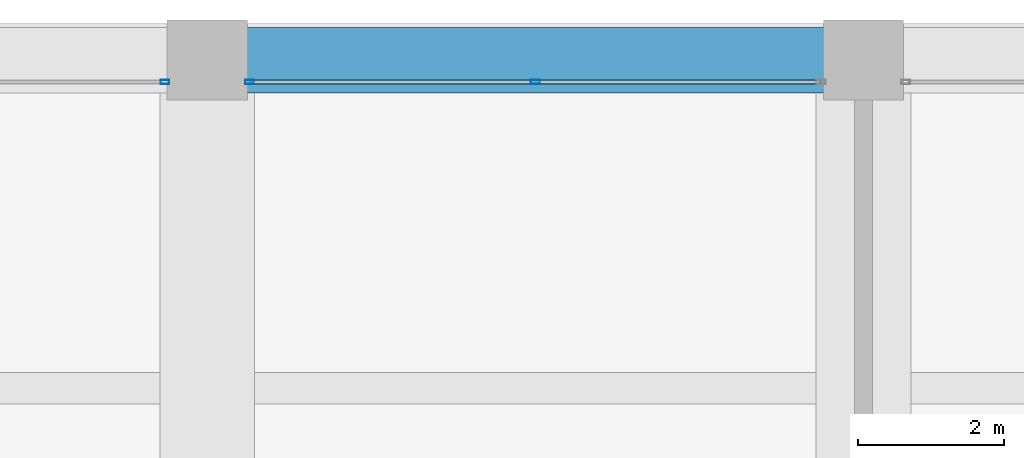
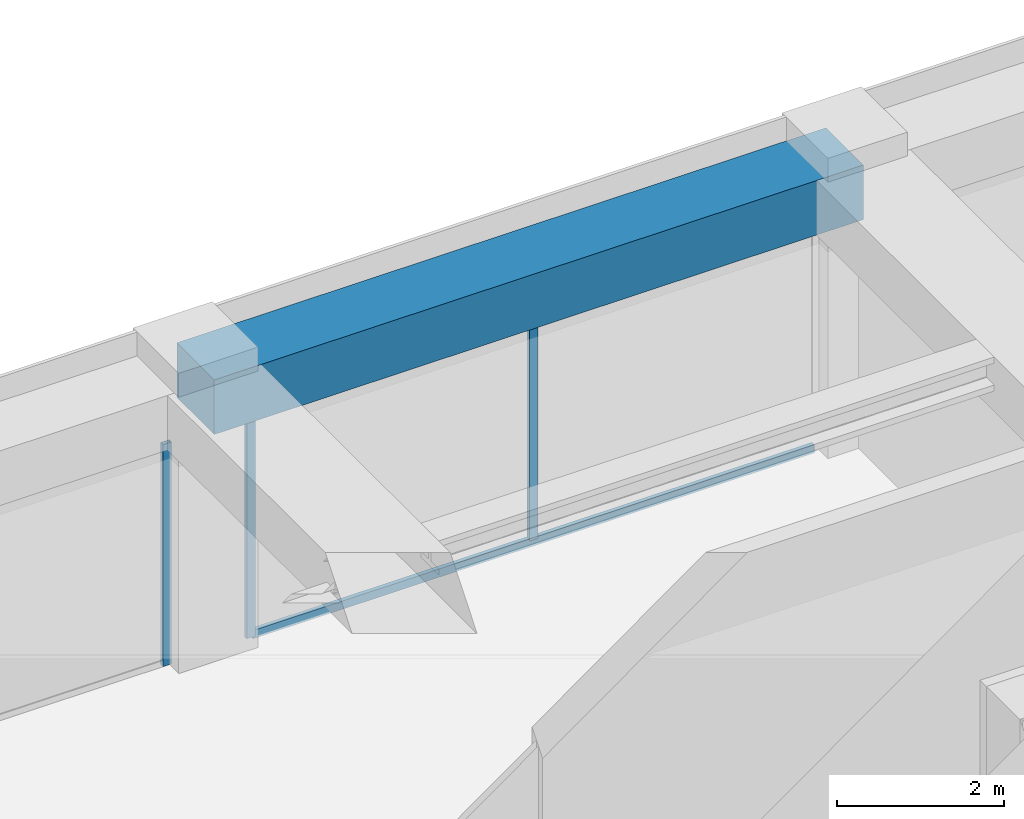
# One storey, part 33 of 44: 4 members, 1 beam, 2 elements without a shape of their own.
"""IFC4 building model written with IfcOpenShell, lengths in metres."""

from ifc_helpers import new_model, si_unit, direction, frame, origin, origin_2d, place, context, subcontext, project, spatial, rectangle, hollow_rectangle, extrude, material, material_profile, profile_set, type_object, element, aggregate, save


model = new_model("IFC4")

# Units and contexts
model_context = context("Model", 3, precision=1e-05, world=origin(), true_north=direction((0.0, 1.0)))
body_context = subcontext(model_context, "Body", "Model", "MODEL_VIEW")
ifc_project = project(units=[si_unit("LENGTHUNIT", "METRE"), si_unit("AREAUNIT", "SQUARE_METRE"), si_unit("VOLUMEUNIT", "CUBIC_METRE"), si_unit("PLANEANGLEUNIT", "RADIAN"), si_unit("MASSUNIT", "GRAM", prefix="KILO")], contexts=[model_context])

# Site, building, storey
site_placement = place(None, origin())
site = spatial("IfcSite", under=ifc_project, at=site_placement, CompositionType="ELEMENT")
building_placement = place(site_placement, origin())
building = spatial("IfcBuilding", under=site, at=building_placement, Name="Zorevar Civic Tower", CompositionType="ELEMENT")
storey_placement = place(building_placement, frame((0.0, 0.0, 307.39990234375)))
storey = spatial("IfcBuildingStorey", under=building, at=storey_placement, Name="L75", CompositionType="ELEMENT", Elevation=307.39990234375)

# Curtain wall, member
ifc_material_1 = material(Name="Dark grey solar-control glass in black aluminium frame", Category="aluminium")
curtain_wall_type = type_object("IfcCurtainWallType", Name="Curtain wall CW5 top zone", PredefinedType="NOTDEFINED", material=ifc_material_1)
curtain_wall_1_placement = place(storey_placement, origin())
curtain_wall_1 = element("IfcCurtainWall", 1, at=curtain_wall_1_placement, inside=storey, type_object=curtain_wall_type, Name="CW5 L75", PredefinedType="NOTDEFINED")
ifc_material_2 = material(Name="Aluminium, black anodised", Category="aluminium")
ifc_material_profile_1 = material_profile(ifc_material_2, hollow_rectangle(XDim=0.06005859375, YDim=0.1201171875, WallThickness=0.0029296875, at=origin_2d()), Name="AL 120x60x3")
ifc_profile_set_1 = profile_set([ifc_material_profile_1], Name="Aluminium, black anodised")
member_type_1 = type_object("IfcMemberType", Name="CW5 mullion AL 120x60x3", PredefinedType="MULLION", material=ifc_profile_set_1)
member_1_placement = place(storey_placement, frame((26.419921875, 44.699951171875, 0.0), z_axis=(0.0, 0.0, 1.0), x_axis=(0.0, 1.0, 0.0)))
member_1 = element("IfcMember", 2, at=member_1_placement, type_object=member_type_1, Name="CW5 mullion 3", PredefinedType="MULLION", context=body_context, shape_type="SweptSolid", body=[
    extrude(hollow_rectangle(XDim=0.06005859375, YDim=0.1201171875, WallThickness=0.0029296875, at=origin_2d()), origin(), (0.0, 0.0, 1.0), 3.25),
])
aggregate(curtain_wall_1, [member_1])

# Curtain wall, members
curtain_wall_2_placement = place(storey_placement, origin())
curtain_wall_2 = element("IfcCurtainWall", 3, at=curtain_wall_2_placement, inside=storey, type_object=curtain_wall_type, Name="CW5 L75", PredefinedType="NOTDEFINED")
member_2_placement = place(storey_placement, frame((27.580078125, 44.699951171875, 0.0), z_axis=(0.0, 0.0, 1.0), x_axis=(0.0, 1.0, 0.0)))
member_2 = element("IfcMember", 4, at=member_2_placement, type_object=member_type_1, Name="CW5 mullion 1", PredefinedType="MULLION", context=body_context, shape_type="SweptSolid", body=[
    extrude(hollow_rectangle(XDim=0.06005859375, YDim=0.1201171875, WallThickness=0.0029296875, at=origin_2d()), origin(), (0.0, 0.0, 1.0), 3.25),
])
member_3_placement = place(storey_placement, frame((31.5, 44.699951171875, 0.06005859375), z_axis=(0.0, 0.0, 1.0), x_axis=(0.0, 1.0, 0.0)))
member_3 = element("IfcMember", 5, at=member_3_placement, type_object=member_type_1, Name="CW5 mullion 2", PredefinedType="MULLION", context=body_context, shape_type="SweptSolid", body=[
    extrude(hollow_rectangle(XDim=0.06005859375, YDim=0.1201171875, WallThickness=0.0029296875, at=origin_2d()), origin(), (0.0, 0.0, 1.0), 3.18994140625),
])
ifc_material_3 = material(Name="Aluminium, black anodised", Category="aluminium")
ifc_material_profile_2 = material_profile(ifc_material_3, hollow_rectangle(XDim=0.06005859375, YDim=0.1201171875, WallThickness=0.0029296875, at=origin_2d()), Name="AL 120x60x3")
ifc_profile_set_2 = profile_set([ifc_material_profile_2], Name="Aluminium, black anodised")
member_type_2 = type_object("IfcMemberType", Name="CW5 transom AL 120x60x3", PredefinedType="USERDEFINED", material=ifc_profile_set_2)
member_4_placement = place(storey_placement, frame((27.610107421875, 44.699951171875, 0.030029296875), z_axis=(1.0, 0.0, 0.0), x_axis=(0.0, 1.0, 0.0)))
member_4 = element("IfcMember", 6, at=member_4_placement, type_object=member_type_2, Name="CW5 sill transom", ObjectType="TRANSOM", PredefinedType="USERDEFINED", context=body_context, shape_type="SweptSolid", body=[
    extrude(hollow_rectangle(XDim=0.06005859375, YDim=0.1201171875, WallThickness=0.0029296875, at=origin_2d()), origin(), (0.0, 0.0, 1.0), 7.77978515625),
])
aggregate(curtain_wall_2, [member_2, member_3, member_4])

# Beam
ifc_material_4 = material(Name="Concrete C50/60", Category="concrete")
ifc_material_profile_3 = material_profile(ifc_material_4, rectangle(XDim=0.89990234375, YDim=0.800048828125, at=origin_2d()), Name="RC 900x800")
ifc_profile_set_3 = profile_set([ifc_material_profile_3], Name="Concrete C50/60")
beam_type = type_object("IfcBeamType", Name="Edge beam RC 900x800", PredefinedType="SPANDREL", material=ifc_profile_set_3)
beam_placement = place(storey_placement, frame((27.0, 45.0, 3.650146484375), z_axis=(1.0, 0.0, 0.0), x_axis=(0.0, 1.0, 0.0)))
element("IfcBeam", 7, at=beam_placement, inside=storey, type_object=beam_type, Name="Edge beam RF", PredefinedType="SPANDREL", context=body_context, shape_type="SweptSolid", body=[
    extrude(rectangle(XDim=0.89990234375, YDim=0.800048828125, at=origin_2d()), origin(), (0.0, 0.0, 1.0), 9.0),
])

save(model, "model.ifc")
